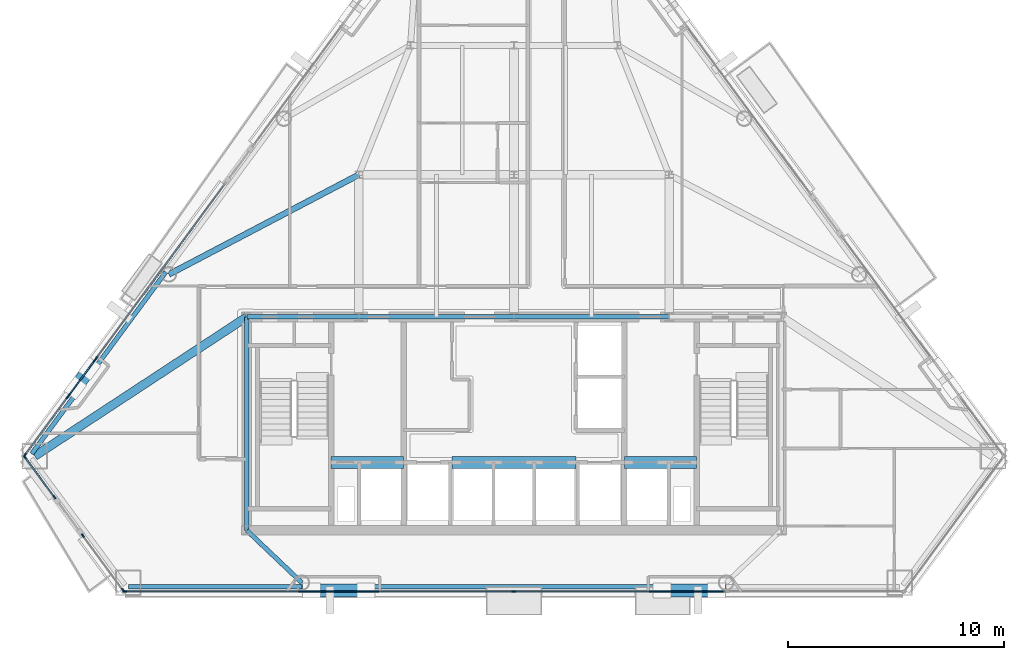
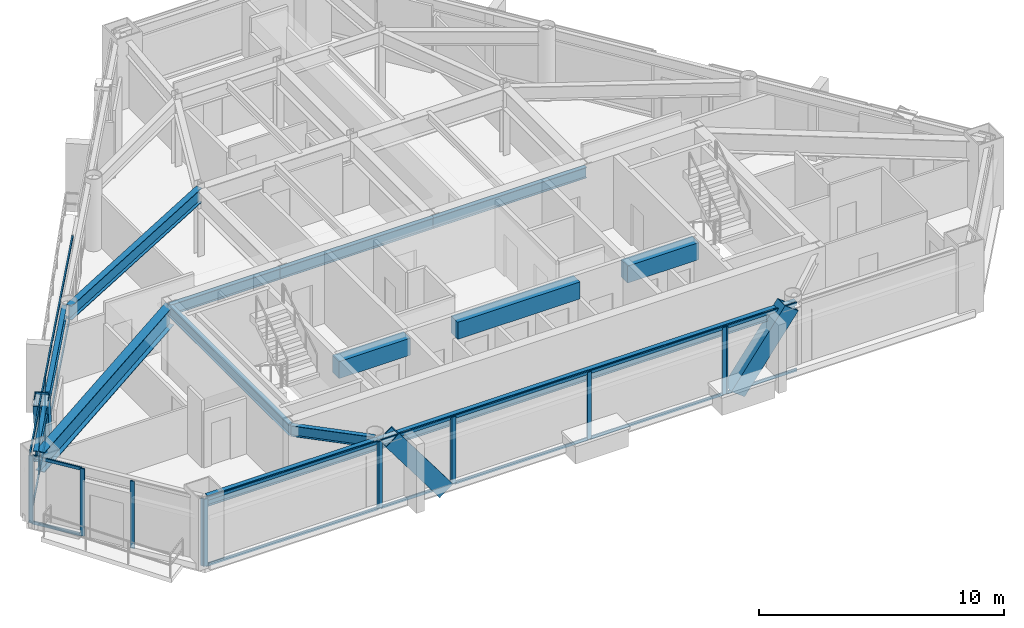
# One storey, part 3 of 11: 38 members, 13 beams, 9 elements without a shape of their own.
"""IFC4 building model written with IfcOpenShell, lengths in metres."""

from ifc_helpers import new_model, si_unit, direction, frame, origin, origin_2d, place, context, subcontext, project, spatial, rectangle, hollow_rectangle, i_section, extrude, material, layer, layer_set, material_profile, profile_set, type_object, element, aggregate, save


model = new_model("IFC4")

# Units and contexts
model_context = context("Model", 3, precision=1e-05, world=origin(), true_north=direction((0.0, 1.0)))
body_context = subcontext(model_context, "Body", "Model", "MODEL_VIEW")
ifc_project = project(units=[si_unit("LENGTHUNIT", "METRE"), si_unit("AREAUNIT", "SQUARE_METRE"), si_unit("VOLUMEUNIT", "CUBIC_METRE"), si_unit("PLANEANGLEUNIT", "RADIAN"), si_unit("MASSUNIT", "GRAM", prefix="KILO")], contexts=[model_context])

# Site, building, storey
site_placement = place(None, origin())
site = spatial("IfcSite", under=ifc_project, at=site_placement, CompositionType="ELEMENT")
building_placement = place(site_placement, origin())
building = spatial("IfcBuilding", under=site, at=building_placement, Name="Talgorran Terracotta Tower", CompositionType="ELEMENT")
storey_placement = place(building_placement, frame((0.0, 0.0, 158.10009765625)))
storey = spatial("IfcBuildingStorey", under=building, at=storey_placement, Name="L41", CompositionType="ELEMENT", Elevation=158.10009765625)

# Beams
ifc_material_1 = material(Name="Steel Grade 350 (350L0)", Category="steel")
ifc_material_profile_1 = material_profile(ifc_material_1, i_section(OverallWidth=0.39990234375, OverallDepth=1.0, WebThickness=0.01611328125, FlangeThickness=0.031005859375, at=origin_2d()), Name="1000WB296")
ifc_profile_set_1 = profile_set([ifc_material_profile_1], Name="Steel Grade 350 (350L0)")
beam_type_1 = type_object("IfcBeamType", Name="BM_1000WB296", PredefinedType="BEAM", material=ifc_profile_set_1)
beam_1_placement = place(storey_placement, frame((-12.39990234375, -4.199951171875, 2.849853515625), z_axis=(-0.836013696093, -0.548708574696, 0.0), x_axis=(0.548708574696, -0.836013696093, 0.0)))
element("IfcBeam", 1, at=beam_1_placement, inside=storey, type_object=beam_type_1, Name="L41 Floor Girder G17", PredefinedType="BEAM", context=body_context, shape_type="SweptSolid", body=[
    extrude(i_section(OverallWidth=0.39990234375, OverallDepth=1.0, WebThickness=0.01611328125, FlangeThickness=0.031005859375, at=origin_2d()), origin(), (0.0, 0.0, 1.0), 11.76318359375),
])
ifc_material_2 = material(Name="Steel S355 (300PLUS)", Category="steel")
ifc_material_profile_2 = material_profile(ifc_material_2, i_section(OverallWidth=0.27490234375, OverallDepth=0.7080078125, WebThickness=0.011962890625, FlangeThickness=0.02490234375, at=origin_2d()), Name="700WB173")
ifc_profile_set_2 = profile_set([ifc_material_profile_2], Name="Steel S355 (300PLUS)")
beam_type_2 = type_object("IfcBeamType", Name="BM_700WB173", PredefinedType="BEAM", material=ifc_profile_set_2)
beam_2_placement = place(storey_placement, frame((-7.199951171875, 2.39990234375, 2.995849609375), z_axis=(-0.885527866822, -0.464586264414, 0.0), x_axis=(0.464586264414, -0.885527866822, 0.0)))
element("IfcBeam", 2, at=beam_2_placement, inside=storey, type_object=beam_type_2, Name="L41 Floor Girder G06", PredefinedType="BEAM", context=body_context, shape_type="SweptSolid", body=[
    extrude(i_section(OverallWidth=0.27490234375, OverallDepth=0.7080078125, WebThickness=0.011962890625, FlangeThickness=0.02490234375, at=origin_2d()), origin(), (0.0, 0.0, 1.0), 9.951416015625),
])
ifc_material_3 = material(Name="Concrete C50/60", Category="concrete")
ifc_material_profile_3 = material_profile(ifc_material_3, rectangle(XDim=0.550048828125, YDim=0.85009765625, at=origin_2d()), Name="RCCB550X850")
ifc_profile_set_3 = profile_set([ifc_material_profile_3], Name="Concrete C50/60")
beam_type_3 = type_object("IfcBeamType", Name="BM_CB_550X850", PredefinedType="LINTEL", material=ifc_profile_set_3)
beam_3_placement = place(storey_placement, frame((-8.47998046875, -10.949951171875, 2.9248046875), z_axis=(1.0, 0.0, 0.0), x_axis=(0.0, 1.0, 0.0)))
element("IfcBeam", 3, at=beam_3_placement, inside=storey, type_object=beam_type_3, Name="L41 Core Shear-Wall Coupling Beam CB1", PredefinedType="LINTEL", context=body_context, shape_type="SweptSolid", body=[
    extrude(rectangle(XDim=0.550048828125, YDim=0.85009765625, at=origin_2d()), origin(), (0.0, 0.0, 1.0), 3.35986328125),
])
beam_4_placement = place(storey_placement, frame((-2.8798828125, -10.949951171875, 2.9248046875), z_axis=(1.0, 0.0, 0.0), x_axis=(0.0, 1.0, 0.0)))
element("IfcBeam", 4, at=beam_4_placement, inside=storey, type_object=beam_type_3, Name="L41 Core Shear-Wall Coupling Beam CB2", PredefinedType="LINTEL", context=body_context, shape_type="SweptSolid", body=[
    extrude(rectangle(XDim=0.550048828125, YDim=0.85009765625, at=origin_2d()), origin(), (0.0, 0.0, 1.0), 5.759765625),
])
beam_5_placement = place(storey_placement, frame((5.1201171875, -10.949951171875, 2.9248046875), z_axis=(1.0, 0.0, 0.0), x_axis=(0.0, 1.0, 0.0)))
element("IfcBeam", 5, at=beam_5_placement, inside=storey, type_object=beam_type_3, Name="L41 Core Shear-Wall Coupling Beam CB3", PredefinedType="LINTEL", context=body_context, shape_type="SweptSolid", body=[
    extrude(rectangle(XDim=0.550048828125, YDim=0.85009765625, at=origin_2d()), origin(), (0.0, 0.0, 1.0), 3.35986328125),
])
ifc_material_profile_4 = material_profile(ifc_material_2, i_section(OverallWidth=0.209228515625, OverallDepth=0.532958984375, WebThickness=0.01025390625, FlangeThickness=0.015625, at=origin_2d()), Name="530UB92.4")
ifc_profile_set_4 = profile_set([ifc_material_profile_4], Name="Steel S355 (300PLUS)")
beam_type_4 = type_object("IfcBeamType", Name="BM_SP_530UB92", PredefinedType="SPANDREL", material=ifc_profile_set_4)
beam_6_placement = place(storey_placement, frame((-17.898193359375, -16.7099609375, 3.08349609375), z_axis=(1.0, 0.0, 0.0), x_axis=(0.0, 1.0, 0.0)))
element("IfcBeam", 6, at=beam_6_placement, inside=storey, type_object=beam_type_4, Name="L41 Perimeter Spandrel Beam MC2-FC1", PredefinedType="SPANDREL", context=body_context, shape_type="SweptSolid", body=[
    extrude(i_section(OverallWidth=0.209228515625, OverallDepth=0.532958984375, WebThickness=0.01025390625, FlangeThickness=0.015625, at=origin_2d()), origin(), (0.0, 0.0, 1.0), 8.05419921875),
])
beam_7_placement = place(storey_placement, frame((-9.843994140625, -16.7099609375, 3.08349609375), z_axis=(1.0, 0.0, 0.0), x_axis=(0.0, 1.0, 0.0)))
element("IfcBeam", 7, at=beam_7_placement, inside=storey, type_object=beam_type_4, Name="L41 Perimeter Spandrel Beam FC1-FC2", PredefinedType="SPANDREL", context=body_context, shape_type="SweptSolid", body=[
    extrude(i_section(OverallWidth=0.209228515625, OverallDepth=0.532958984375, WebThickness=0.01025390625, FlangeThickness=0.015625, at=origin_2d()), origin(), (0.0, 0.0, 1.0), 19.68798828125),
])
beam_8_placement = place(storey_placement, frame((-16.156982421875, -2.116455078125, 3.08349609375), z_axis=(-0.593786218479, -0.804622847516, 0.0), x_axis=(0.804622847516, -0.593786218479, 0.0)))
element("IfcBeam", 8, at=beam_8_placement, inside=storey, type_object=beam_type_4, Name="L41 Perimeter Spandrel Beam FC6-MC1", PredefinedType="SPANDREL", context=body_context, shape_type="SweptSolid", body=[
    extrude(i_section(OverallWidth=0.209228515625, OverallDepth=0.532958984375, WebThickness=0.01025390625, FlangeThickness=0.015625, at=origin_2d()), origin(), (0.0, 0.0, 1.0), 10.478271484375),
])
beam_9_placement = place(storey_placement, frame((-9.843994140625, -16.530029296875, 3.08349609375), z_axis=(-0.724741849636, 0.689020501426, 0.0), x_axis=(-0.689020501426, -0.724741849636, 0.0)))
element("IfcBeam", 9, at=beam_9_placement, inside=storey, type_object=beam_type_4, Name="L41 South-West Core Tie Beam", PredefinedType="SPANDREL", context=body_context, shape_type="SweptSolid", body=[
    extrude(i_section(OverallWidth=0.209228515625, OverallDepth=0.532958984375, WebThickness=0.01025390625, FlangeThickness=0.015625, at=origin_2d()), origin(), (0.0, 0.0, 1.0), 3.526611328125),
])
beam_10_placement = place(storey_placement, frame((-12.39990234375, -14.10009765625, 3.08349609375), z_axis=(0.0, 1.0, 0.0), x_axis=(-1.0, 0.0, 0.0)))
element("IfcBeam", 10, at=beam_10_placement, inside=storey, type_object=beam_type_4, Name="L41 Core Frame Beam CFW", PredefinedType="SPANDREL", context=body_context, shape_type="SweptSolid", body=[
    extrude(i_section(OverallWidth=0.209228515625, OverallDepth=0.532958984375, WebThickness=0.01025390625, FlangeThickness=0.015625, at=origin_2d()), origin(), (0.0, 0.0, 1.0), 9.900146484375),
])
beam_11_placement = place(storey_placement, frame((-12.39990234375, -4.199951171875, 3.08349609375), z_axis=(1.0, 0.0, 0.0), x_axis=(0.0, 1.0, 0.0)))
element("IfcBeam", 11, at=beam_11_placement, inside=storey, type_object=beam_type_4, Name="L41 Core Frame Beam CFN1", PredefinedType="SPANDREL", context=body_context, shape_type="SweptSolid", body=[
    extrude(i_section(OverallWidth=0.209228515625, OverallDepth=0.532958984375, WebThickness=0.01025390625, FlangeThickness=0.015625, at=origin_2d()), origin(), (0.0, 0.0, 1.0), 5.199951171875),
])
for number, where, z_axis, x_axis, name in (
    (12, (-7.199951171875, -4.199951171875, 3.08349609375), (1.0, 0.0, 0.0), (0.0, 1.0, 0.0), "L41 Core Frame Beam CFN2"),
    (13, (0.0, -4.199951171875, 3.08349609375), (1.0, 0.0, 0.0), (0.0, 1.0, 0.0), "L41 Core Frame Beam CFN3"),
):
    element("IfcBeam", number, at=place(storey_placement, frame(where, z_axis=z_axis, x_axis=x_axis)), inside=storey, type_object=beam_type_4, Name=name, PredefinedType="SPANDREL", context=body_context, shape_type="SweptSolid", body=[
        extrude(i_section(OverallWidth=0.209228515625, OverallDepth=0.532958984375, WebThickness=0.01025390625, FlangeThickness=0.015625, at=origin_2d()), origin(), (0.0, 0.0, 1.0), 7.199951171875),
    ])

# Members
ifc_material_profile_5 = material_profile(ifc_material_1, hollow_rectangle(XDim=0.6201171875, YDim=0.780029296875, WallThickness=0.0419921875, at=origin_2d()), Name="WBOX780X620X42")
ifc_profile_set_5 = profile_set([ifc_material_profile_5], Name="Steel Grade 350 (350L0)")
member_type_1 = type_object("IfcMemberType", Name="MB_MEGA_780", PredefinedType="BRACE", material=ifc_profile_set_5)
for number, where, z_axis, x_axis, name in (
    (14, (-6.870361328125, -16.889892578125, -0.025146484375), (-0.597148684643, 0.0, 0.802130568193), (0.0, -1.0, 0.0), "L41 Exterior Face Mega-Brace MB-2 (SWF)"),
    (15, (6.870361328125, -16.889892578125, -0.025146484375), (0.597148684643, 0.0, 0.802130568193), (0.0, 1.0, 0.0), "L41 Exterior Face Mega-Brace MB-2 (SEF)"),
):
    element("IfcMember", number, at=place(storey_placement, frame(where, z_axis=z_axis, x_axis=x_axis)), inside=storey, type_object=member_type_1, Name=name, PredefinedType="BRACE", context=body_context, shape_type="SweptSolid", body=[
        extrude(hollow_rectangle(XDim=0.6201171875, YDim=0.780029296875, WallThickness=0.0419921875, at=origin_2d()), origin(), (0.0, 0.0, 1.0), 4.239013671875),
    ])
member_1_placement = place(storey_placement, frame((-19.686279296875, -6.595947265625, -0.025146484375), z_axis=(-0.186449157717, -0.252643721572, 0.949425016279), x_axis=(0.804613596001, -0.593798754739, 0.0)))
element("IfcMember", 16, at=member_1_placement, inside=storey, type_object=member_type_1, Name="L41 Exterior Face Mega-Brace MB-2 (NWL)", PredefinedType="BRACE", context=body_context, shape_type="SweptSolid", body=[
    extrude(hollow_rectangle(XDim=0.6201171875, YDim=0.780029296875, WallThickness=0.0419921875, at=origin_2d()), origin(), (0.0, 0.0, 1.0), 3.581298828125),
])

# Curtain wall, members
ifc_material_4 = material(Name="Unitised Low-E Double Glazing", Category="glass")
ifc_layer = layer(ifc_material_4, 0.199951171875, Name="CW_SYS2_RES_LOW")
ifc_layer_set = layer_set([ifc_layer], Name="Unitised Low-E Double Glazing")
curtain_wall_type = type_object("IfcCurtainWallType", Name="CW_SYS2_RES_LOW", PredefinedType="NOTDEFINED", material=ifc_layer_set)
curtain_wall_1_placement = place(storey_placement, origin())
curtain_wall_1 = element("IfcCurtainWall", 17, at=curtain_wall_1_placement, inside=storey, type_object=curtain_wall_type, Name="CW-L41-F10", PredefinedType="NOTDEFINED")
ifc_material_5 = material(Name="Architectural Aluminium 6063-T6", Category="aluminium")
ifc_material_profile_6 = material_profile(ifc_material_5, rectangle(XDim=0.06494140625, YDim=0.18505859375, at=origin_2d()), Name="CWM65X185")
ifc_profile_set_6 = profile_set([ifc_material_profile_6], Name="Architectural Aluminium 6063-T6")
member_type_2 = type_object("IfcMemberType", Name="MUL_65X185", PredefinedType="MULLION", material=ifc_profile_set_6)
member_2_placement = place(storey_placement, frame((-22.688232421875, -10.712890625, 0.0), z_axis=(0.0, 0.0, 1.0), x_axis=(0.804619011148, 0.593791416997, 0.0)))
member_2 = element("IfcMember", 18, at=member_2_placement, type_object=member_type_2, Name="CW-L41-10 mullion 1", PredefinedType="MULLION", context=body_context, shape_type="SweptSolid", body=[
    extrude(rectangle(XDim=0.06494140625, YDim=0.18505859375, at=origin_2d()), origin(), (0.0, 0.0, 1.0), 3.349853515625),
])
member_3_placement = place(storey_placement, frame((-21.32861328125, -12.55517578125, 0.0), z_axis=(0.0, 0.0, 1.0), x_axis=(0.804619011148, 0.593791416997, 0.0)))
member_3 = element("IfcMember", 19, at=member_3_placement, type_object=member_type_2, Name="CW-L41-10 mullion 2", PredefinedType="MULLION", context=body_context, shape_type="SweptSolid", body=[
    extrude(rectangle(XDim=0.06494140625, YDim=0.18505859375, at=origin_2d()), origin(), (0.0, 0.0, 1.0), 3.349853515625),
])

curtain_wall_2_placement = place(storey_placement, origin())
curtain_wall_2 = element("IfcCurtainWall", 20, at=curtain_wall_2_placement, inside=storey, type_object=curtain_wall_type, Name="CW-L41-F11", PredefinedType="NOTDEFINED")
member_4_placement = place(storey_placement, frame((-20.007568359375, -14.345458984375, 0.0), z_axis=(0.0, 0.0, 1.0), x_axis=(0.804630520455, 0.593775820957, 0.0)))
member_4 = element("IfcMember", 21, at=member_4_placement, type_object=member_type_2, Name="CW-L41-11 mullion 1", PredefinedType="MULLION", context=body_context, shape_type="SweptSolid", body=[
    extrude(rectangle(XDim=0.06494140625, YDim=0.18505859375, at=origin_2d()), origin(), (0.0, 0.0, 1.0), 3.349853515625),
])
member_5_placement = place(storey_placement, frame((-18.143310546875, -16.87158203125, 0.0), z_axis=(0.0, 0.0, 1.0), x_axis=(0.804630520455, 0.593775820957, 0.0)))
member_5 = element("IfcMember", 22, at=member_5_placement, type_object=member_type_2, Name="CW-L41-11 mullion 2", PredefinedType="MULLION", context=body_context, shape_type="SweptSolid", body=[
    extrude(rectangle(XDim=0.06494140625, YDim=0.18505859375, at=origin_2d()), origin(), (0.0, 0.0, 1.0), 3.349853515625),
])
aggregate(curtain_wall_2, [member_4, member_5])

curtain_wall_3_placement = place(storey_placement, origin())
curtain_wall_3 = element("IfcCurtainWall", 23, at=curtain_wall_3_placement, inside=storey, type_object=curtain_wall_type, Name="CW-L41-F1", PredefinedType="NOTDEFINED")
member_6_placement = place(storey_placement, frame((-18.067626953125, -16.929931640625, 0.0), z_axis=(0.0, 0.0, 1.0), x_axis=(0.0, 1.0, 0.0)))
member_6 = element("IfcMember", 24, at=member_6_placement, type_object=member_type_2, Name="CW-L41-1 mullion 1", PredefinedType="MULLION", context=body_context, shape_type="SweptSolid", body=[
    extrude(rectangle(XDim=0.06494140625, YDim=0.18505859375, at=origin_2d()), origin(), (0.0, 0.0, 1.0), 3.349853515625),
])
member_7_placement = place(storey_placement, frame((-9.90185546875, -16.929931640625, 0.0), z_axis=(0.0, 0.0, 1.0), x_axis=(0.0, 1.0, 0.0)))
member_7 = element("IfcMember", 25, at=member_7_placement, type_object=member_type_2, Name="CW-L41-1 mullion 2", PredefinedType="MULLION", context=body_context, shape_type="SweptSolid", body=[
    extrude(rectangle(XDim=0.06494140625, YDim=0.18505859375, at=origin_2d()), origin(), (0.0, 0.0, 1.0), 3.349853515625),
])

curtain_wall_4_placement = place(storey_placement, origin())
curtain_wall_4 = element("IfcCurtainWall", 26, at=curtain_wall_4_placement, inside=storey, type_object=curtain_wall_type, Name="CW-L41-F1B", PredefinedType="NOTDEFINED")
member_8_placement = place(storey_placement, frame((-9.826904296875, -16.929931640625, 0.0), z_axis=(0.0, 0.0, 1.0), x_axis=(0.0, 1.0, 0.0)))
member_8 = element("IfcMember", 27, at=member_8_placement, type_object=member_type_2, Name="CW-L41-1B mullion 1", PredefinedType="MULLION", context=body_context, shape_type="SweptSolid", body=[
    extrude(rectangle(XDim=0.06494140625, YDim=0.18505859375, at=origin_2d()), origin(), (0.0, 0.0, 1.0), 3.349853515625),
])
member_9_placement = place(storey_placement, frame((-6.445068359375, -16.929931640625, 0.0), z_axis=(0.0, 0.0, 1.0), x_axis=(0.0, 1.0, 0.0)))
member_9 = element("IfcMember", 28, at=member_9_placement, type_object=member_type_2, Name="CW-L41-1B mullion 2", PredefinedType="MULLION", context=body_context, shape_type="SweptSolid", body=[
    extrude(rectangle(XDim=0.06494140625, YDim=0.18505859375, at=origin_2d()), origin(), (0.0, 0.0, 1.0), 3.349853515625),
])

curtain_wall_5_placement = place(storey_placement, origin())
curtain_wall_5 = element("IfcCurtainWall", 29, at=curtain_wall_5_placement, inside=storey, type_object=curtain_wall_type, Name="CW-L41-F1C", PredefinedType="NOTDEFINED")
member_10_placement = place(storey_placement, frame((-6.3701171875, -16.929931640625, 0.0), z_axis=(0.0, 0.0, 1.0), x_axis=(0.0, 1.0, 0.0)))
member_10 = element("IfcMember", 30, at=member_10_placement, type_object=member_type_2, Name="CW-L41-1C mullion 1", PredefinedType="MULLION", context=body_context, shape_type="SweptSolid", body=[
    extrude(rectangle(XDim=0.06494140625, YDim=0.18505859375, at=origin_2d()), origin(), (0.0, 0.0, 1.0), 3.349853515625),
])
member_11_placement = place(storey_placement, frame((0.0, -16.929931640625, 0.0), z_axis=(0.0, 0.0, 1.0), x_axis=(0.0, 1.0, 0.0)))
member_11 = element("IfcMember", 31, at=member_11_placement, type_object=member_type_2, Name="CW-L41-1C mullion 2", PredefinedType="MULLION", context=body_context, shape_type="SweptSolid", body=[
    extrude(rectangle(XDim=0.06494140625, YDim=0.18505859375, at=origin_2d()), origin(), (0.0, 0.0, 1.0), 3.349853515625),
])
member_12_placement = place(storey_placement, frame((6.3701171875, -16.929931640625, 0.0), z_axis=(0.0, 0.0, 1.0), x_axis=(0.0, 1.0, 0.0)))
member_12 = element("IfcMember", 32, at=member_12_placement, type_object=member_type_2, Name="CW-L41-1C mullion 3", PredefinedType="MULLION", context=body_context, shape_type="SweptSolid", body=[
    extrude(rectangle(XDim=0.06494140625, YDim=0.18505859375, at=origin_2d()), origin(), (0.0, 0.0, 1.0), 3.349853515625),
])

# Curtain wall, member
curtain_wall_6_placement = place(storey_placement, origin())
curtain_wall_6 = element("IfcCurtainWall", 33, at=curtain_wall_6_placement, inside=storey, type_object=curtain_wall_type, Name="CW-L41-F1D", PredefinedType="NOTDEFINED")
member_13_placement = place(storey_placement, frame((6.445068359375, -16.929931640625, 0.0), z_axis=(0.0, 0.0, 1.0), x_axis=(0.0, 1.0, 0.0)))
member_13 = element("IfcMember", 34, at=member_13_placement, type_object=member_type_2, Name="CW-L41-1D mullion 1", PredefinedType="MULLION", context=body_context, shape_type="SweptSolid", body=[
    extrude(rectangle(XDim=0.06494140625, YDim=0.18505859375, at=origin_2d()), origin(), (0.0, 0.0, 1.0), 3.349853515625),
])

curtain_wall_7_placement = place(storey_placement, origin())
curtain_wall_7 = element("IfcCurtainWall", 35, at=curtain_wall_7_placement, inside=storey, type_object=curtain_wall_type, Name="CW-L41-F61", PredefinedType="NOTDEFINED")
member_14_placement = place(storey_placement, frame((-19.387451171875, -6.12353515625, 0.0), z_axis=(0.0, 0.0, 1.0), x_axis=(0.804623152211, -0.593785805595, 0.0)))
member_14 = element("IfcMember", 36, at=member_14_placement, type_object=member_type_2, Name="CW-L41-61 mullion 2", PredefinedType="MULLION", context=body_context, shape_type="SweptSolid", body=[
    extrude(rectangle(XDim=0.06494140625, YDim=0.18505859375, at=origin_2d()), origin(), (0.0, 0.0, 1.0), 3.349853515625),
])

# Curtain wall, members
curtain_wall_8_placement = place(storey_placement, origin())
curtain_wall_8 = element("IfcCurtainWall", 37, at=curtain_wall_8_placement, inside=storey, type_object=curtain_wall_type, Name="CW-L41-F61B", PredefinedType="NOTDEFINED")
member_15_placement = place(storey_placement, frame((-19.431884765625, -6.183837890625, 0.0), z_axis=(0.0, 0.0, 1.0), x_axis=(0.804614726694, -0.593797222616, 0.0)))
member_15 = element("IfcMember", 38, at=member_15_placement, type_object=member_type_2, Name="CW-L41-61B mullion 1", PredefinedType="MULLION", context=body_context, shape_type="SweptSolid", body=[
    extrude(rectangle(XDim=0.06494140625, YDim=0.18505859375, at=origin_2d()), origin(), (0.0, 0.0, 1.0), 3.349853515625),
])
member_16_placement = place(storey_placement, frame((-20.6728515625, -7.865234375, 0.0), z_axis=(0.0, 0.0, 1.0), x_axis=(0.804614726694, -0.593797222616, 0.0)))
member_16 = element("IfcMember", 39, at=member_16_placement, type_object=member_type_2, Name="CW-L41-61B mullion 2", PredefinedType="MULLION", context=body_context, shape_type="SweptSolid", body=[
    extrude(rectangle(XDim=0.06494140625, YDim=0.18505859375, at=origin_2d()), origin(), (0.0, 0.0, 1.0), 3.349853515625),
])

curtain_wall_9_placement = place(storey_placement, origin())
curtain_wall_9 = element("IfcCurtainWall", 40, at=curtain_wall_9_placement, inside=storey, type_object=curtain_wall_type, Name="CW-L41-F61C", PredefinedType="NOTDEFINED")
member_17_placement = place(storey_placement, frame((-20.71728515625, -7.92578125, 0.0), z_axis=(0.0, 0.0, 1.0), x_axis=(0.804614418902, -0.593797639684, 0.0)))
member_17 = element("IfcMember", 41, at=member_17_placement, type_object=member_type_2, Name="CW-L41-61C mullion 1", PredefinedType="MULLION", context=body_context, shape_type="SweptSolid", body=[
    extrude(rectangle(XDim=0.06494140625, YDim=0.18505859375, at=origin_2d()), origin(), (0.0, 0.0, 1.0), 3.349853515625),
])
member_18_placement = place(storey_placement, frame((-22.688232421875, -10.59619140625, 0.0), z_axis=(0.0, 0.0, 1.0), x_axis=(0.804614418902, -0.593797639684, 0.0)))
member_18 = element("IfcMember", 42, at=member_18_placement, type_object=member_type_2, Name="CW-L41-61C mullion 2", PredefinedType="MULLION", context=body_context, shape_type="SweptSolid", body=[
    extrude(rectangle(XDim=0.06494140625, YDim=0.18505859375, at=origin_2d()), origin(), (0.0, 0.0, 1.0), 3.349853515625),
])

# Member
ifc_material_profile_7 = material_profile(ifc_material_5, rectangle(XDim=0.06494140625, YDim=0.14990234375, at=origin_2d()), Name="CWT65X150")
ifc_profile_set_7 = profile_set([ifc_material_profile_7], Name="Architectural Aluminium 6063-T6")
member_type_3 = type_object("IfcMemberType", Name="TRN_65X150", PredefinedType="USERDEFINED", material=ifc_profile_set_7)
member_19_placement = place(storey_placement, frame((-22.6689453125, -10.739013671875, 0.032470703125), z_axis=(0.593801553627, -0.804611530436, 0.0), x_axis=(0.804611530436, 0.593801553627, 0.0)))
member_19 = element("IfcMember", 43, at=member_19_placement, type_object=member_type_3, Name="CW-L41-10 transom 1.1", ObjectType="TRANSOM", PredefinedType="USERDEFINED", context=body_context, shape_type="SweptSolid", body=[
    extrude(rectangle(XDim=0.06494140625, YDim=0.14990234375, at=origin_2d()), origin(), (0.0, 0.0, 1.0), 2.224609375),
])

member_20_placement = place(storey_placement, frame((-22.6689453125, -10.739013671875, 3.3173828125), z_axis=(0.593801553627, -0.804611530436, 0.0), x_axis=(0.804611530436, 0.593801553627, 0.0)))
member_20 = element("IfcMember", 44, at=member_20_placement, type_object=member_type_3, Name="CW-L41-10 transom 1.2", ObjectType="TRANSOM", PredefinedType="USERDEFINED", context=body_context, shape_type="SweptSolid", body=[
    extrude(rectangle(XDim=0.06494140625, YDim=0.14990234375, at=origin_2d()), origin(), (0.0, 0.0, 1.0), 2.224609375),
])

aggregate(curtain_wall_1, [member_2, member_3, member_19, member_20])

member_21_placement = place(storey_placement, frame((-18.03515625, -16.929931640625, 0.032470703125), z_axis=(1.0, 0.0, 0.0), x_axis=(0.0, 1.0, 0.0)))
member_21 = element("IfcMember", 45, at=member_21_placement, type_object=member_type_3, Name="CW-L41-1 transom 1.1", ObjectType="TRANSOM", PredefinedType="USERDEFINED", context=body_context, shape_type="SweptSolid", body=[
    extrude(rectangle(XDim=0.06494140625, YDim=0.14990234375, at=origin_2d()), origin(), (0.0, 0.0, 1.0), 8.100830078125),
])

member_22_placement = place(storey_placement, frame((-18.03515625, -16.929931640625, 3.3173828125), z_axis=(1.0, 0.0, 0.0), x_axis=(0.0, 1.0, 0.0)))
member_22 = element("IfcMember", 46, at=member_22_placement, type_object=member_type_3, Name="CW-L41-1 transom 1.2", ObjectType="TRANSOM", PredefinedType="USERDEFINED", context=body_context, shape_type="SweptSolid", body=[
    extrude(rectangle(XDim=0.06494140625, YDim=0.14990234375, at=origin_2d()), origin(), (0.0, 0.0, 1.0), 8.100830078125),
])

aggregate(curtain_wall_3, [member_6, member_7, member_21, member_22])

member_23_placement = place(storey_placement, frame((-9.79443359375, -16.929931640625, 0.032470703125), z_axis=(1.0, 0.0, 0.0), x_axis=(0.0, 1.0, 0.0)))
member_23 = element("IfcMember", 47, at=member_23_placement, type_object=member_type_3, Name="CW-L41-1B transom 1.1", ObjectType="TRANSOM", PredefinedType="USERDEFINED", context=body_context, shape_type="SweptSolid", body=[
    extrude(rectangle(XDim=0.06494140625, YDim=0.14990234375, at=origin_2d()), origin(), (0.0, 0.0, 1.0), 3.31689453125),
])

member_24_placement = place(storey_placement, frame((-9.79443359375, -16.929931640625, 3.3173828125), z_axis=(1.0, 0.0, 0.0), x_axis=(0.0, 1.0, 0.0)))
member_24 = element("IfcMember", 48, at=member_24_placement, type_object=member_type_3, Name="CW-L41-1B transom 1.2", ObjectType="TRANSOM", PredefinedType="USERDEFINED", context=body_context, shape_type="SweptSolid", body=[
    extrude(rectangle(XDim=0.06494140625, YDim=0.14990234375, at=origin_2d()), origin(), (0.0, 0.0, 1.0), 3.31689453125),
])

aggregate(curtain_wall_4, [member_8, member_9, member_23, member_24])

member_25_placement = place(storey_placement, frame((-6.337646484375, -16.929931640625, 0.032470703125), z_axis=(1.0, 0.0, 0.0), x_axis=(0.0, 1.0, 0.0)))
member_25 = element("IfcMember", 49, at=member_25_placement, type_object=member_type_3, Name="CW-L41-1C transom 1.1", ObjectType="TRANSOM", PredefinedType="USERDEFINED", context=body_context, shape_type="SweptSolid", body=[
    extrude(rectangle(XDim=0.06494140625, YDim=0.14990234375, at=origin_2d()), origin(), (0.0, 0.0, 1.0), 6.30517578125),
])

member_26_placement = place(storey_placement, frame((-6.337646484375, -16.929931640625, 3.3173828125), z_axis=(1.0, 0.0, 0.0), x_axis=(0.0, 1.0, 0.0)))
member_26 = element("IfcMember", 50, at=member_26_placement, type_object=member_type_3, Name="CW-L41-1C transom 1.2", ObjectType="TRANSOM", PredefinedType="USERDEFINED", context=body_context, shape_type="SweptSolid", body=[
    extrude(rectangle(XDim=0.06494140625, YDim=0.14990234375, at=origin_2d()), origin(), (0.0, 0.0, 1.0), 6.30517578125),
])

member_27_placement = place(storey_placement, frame((0.032470703125, -16.929931640625, 0.032470703125), z_axis=(1.0, 0.0, 0.0), x_axis=(0.0, 1.0, 0.0)))
member_27 = element("IfcMember", 51, at=member_27_placement, type_object=member_type_3, Name="CW-L41-1C transom 2.1", ObjectType="TRANSOM", PredefinedType="USERDEFINED", context=body_context, shape_type="SweptSolid", body=[
    extrude(rectangle(XDim=0.06494140625, YDim=0.14990234375, at=origin_2d()), origin(), (0.0, 0.0, 1.0), 6.30517578125),
])

member_28_placement = place(storey_placement, frame((0.032470703125, -16.929931640625, 3.3173828125), z_axis=(1.0, 0.0, 0.0), x_axis=(0.0, 1.0, 0.0)))
member_28 = element("IfcMember", 52, at=member_28_placement, type_object=member_type_3, Name="CW-L41-1C transom 2.2", ObjectType="TRANSOM", PredefinedType="USERDEFINED", context=body_context, shape_type="SweptSolid", body=[
    extrude(rectangle(XDim=0.06494140625, YDim=0.14990234375, at=origin_2d()), origin(), (0.0, 0.0, 1.0), 6.30517578125),
])

aggregate(curtain_wall_5, [member_10, member_11, member_12, member_25, member_26, member_27, member_28])

member_29_placement = place(storey_placement, frame((6.4775390625, -16.929931640625, 0.032470703125), z_axis=(1.0, 0.0, 0.0), x_axis=(0.0, 1.0, 0.0)))
member_29 = element("IfcMember", 53, at=member_29_placement, type_object=member_type_3, Name="CW-L41-1D transom 1.1", ObjectType="TRANSOM", PredefinedType="USERDEFINED", context=body_context, shape_type="SweptSolid", body=[
    extrude(rectangle(XDim=0.06494140625, YDim=0.14990234375, at=origin_2d()), origin(), (0.0, 0.0, 1.0), 3.31689453125),
])

member_30_placement = place(storey_placement, frame((6.4775390625, -16.929931640625, 3.3173828125), z_axis=(1.0, 0.0, 0.0), x_axis=(0.0, 1.0, 0.0)))
member_30 = element("IfcMember", 54, at=member_30_placement, type_object=member_type_3, Name="CW-L41-1D transom 1.2", ObjectType="TRANSOM", PredefinedType="USERDEFINED", context=body_context, shape_type="SweptSolid", body=[
    extrude(rectangle(XDim=0.06494140625, YDim=0.14990234375, at=origin_2d()), origin(), (0.0, 0.0, 1.0), 3.31689453125),
])

aggregate(curtain_wall_6, [member_13, member_29, member_30])

member_31_placement = place(storey_placement, frame((-13.43017578125, 1.948974609375, 0.032470703125), z_axis=(-0.593786821711, -0.804622402349, 0.0), x_axis=(0.804622402349, -0.593786821711, 0.0)))
member_31 = element("IfcMember", 55, at=member_31_placement, type_object=member_type_3, Name="CW-L41-61 transom 1.1", ObjectType="TRANSOM", PredefinedType="USERDEFINED", context=body_context, shape_type="SweptSolid", body=[
    extrude(rectangle(XDim=0.06494140625, YDim=0.14990234375, at=origin_2d()), origin(), (0.0, 0.0, 1.0), 10.000244140625),
])

member_32_placement = place(storey_placement, frame((-13.43017578125, 1.948974609375, 3.3173828125), z_axis=(-0.593786821711, -0.804622402349, 0.0), x_axis=(0.804622402349, -0.593786821711, 0.0)))
member_32 = element("IfcMember", 56, at=member_32_placement, type_object=member_type_3, Name="CW-L41-61 transom 1.2", ObjectType="TRANSOM", PredefinedType="USERDEFINED", context=body_context, shape_type="SweptSolid", body=[
    extrude(rectangle(XDim=0.06494140625, YDim=0.14990234375, at=origin_2d()), origin(), (0.0, 0.0, 1.0), 10.000244140625),
])

aggregate(curtain_wall_7, [member_14, member_31, member_32])

member_33_placement = place(storey_placement, frame((-19.451171875, -6.2099609375, 0.032470703125), z_axis=(-0.593828137474, -0.804591910937, 0.0), x_axis=(0.804591910937, -0.593828137474, 0.0)))
member_33 = element("IfcMember", 57, at=member_33_placement, type_object=member_type_3, Name="CW-L41-61B transom 1.1", ObjectType="TRANSOM", PredefinedType="USERDEFINED", context=body_context, shape_type="SweptSolid", body=[
    extrude(rectangle(XDim=0.06494140625, YDim=0.14990234375, at=origin_2d()), origin(), (0.0, 0.0, 1.0), 2.02490234375),
])

member_34_placement = place(storey_placement, frame((-19.451171875, -6.2099609375, 3.3173828125), z_axis=(-0.593828137474, -0.804591910937, 0.0), x_axis=(0.804591910937, -0.593828137474, 0.0)))
member_34 = element("IfcMember", 58, at=member_34_placement, type_object=member_type_3, Name="CW-L41-61B transom 1.2", ObjectType="TRANSOM", PredefinedType="USERDEFINED", context=body_context, shape_type="SweptSolid", body=[
    extrude(rectangle(XDim=0.06494140625, YDim=0.14990234375, at=origin_2d()), origin(), (0.0, 0.0, 1.0), 2.02490234375),
])

aggregate(curtain_wall_8, [member_15, member_16, member_33, member_34])

member_35_placement = place(storey_placement, frame((-20.73681640625, -7.951904296875, 0.032470703125), z_axis=(-0.593787535062, -0.804621875917, 0.0), x_axis=(0.804621875917, -0.593787535062, 0.0)))
member_35 = element("IfcMember", 59, at=member_35_placement, type_object=member_type_3, Name="CW-L41-61C transom 1.1", ObjectType="TRANSOM", PredefinedType="USERDEFINED", context=body_context, shape_type="SweptSolid", body=[
    extrude(rectangle(XDim=0.06494140625, YDim=0.14990234375, at=origin_2d()), origin(), (0.0, 0.0, 1.0), 3.25390625),
])

member_36_placement = place(storey_placement, frame((-20.73681640625, -7.951904296875, 3.3173828125), z_axis=(-0.593787535062, -0.804621875917, 0.0), x_axis=(0.804621875917, -0.593787535062, 0.0)))
member_36 = element("IfcMember", 60, at=member_36_placement, type_object=member_type_3, Name="CW-L41-61C transom 1.2", ObjectType="TRANSOM", PredefinedType="USERDEFINED", context=body_context, shape_type="SweptSolid", body=[
    extrude(rectangle(XDim=0.06494140625, YDim=0.14990234375, at=origin_2d()), origin(), (0.0, 0.0, 1.0), 3.25390625),
])

aggregate(curtain_wall_9, [member_17, member_18, member_35, member_36])

save(model, "model.ifc")
